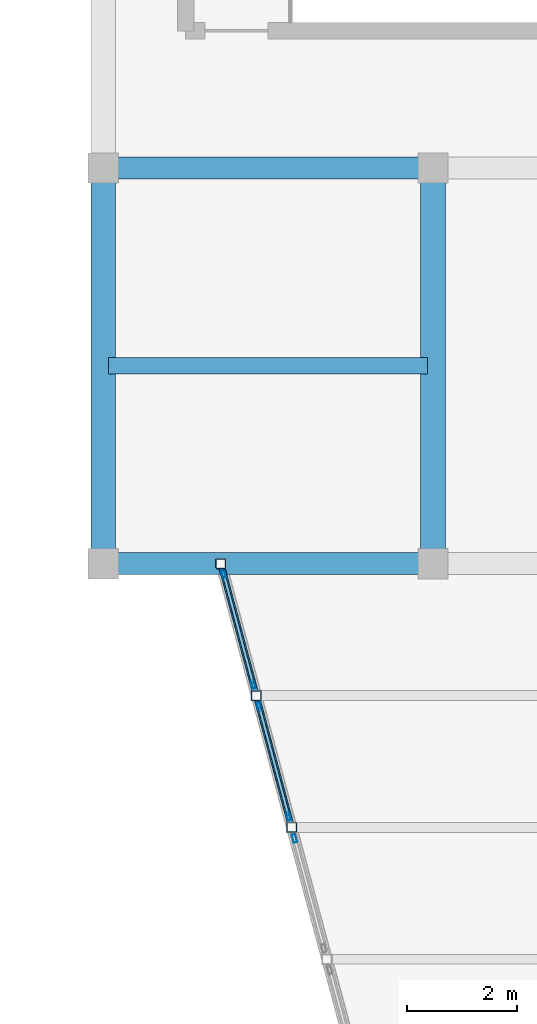
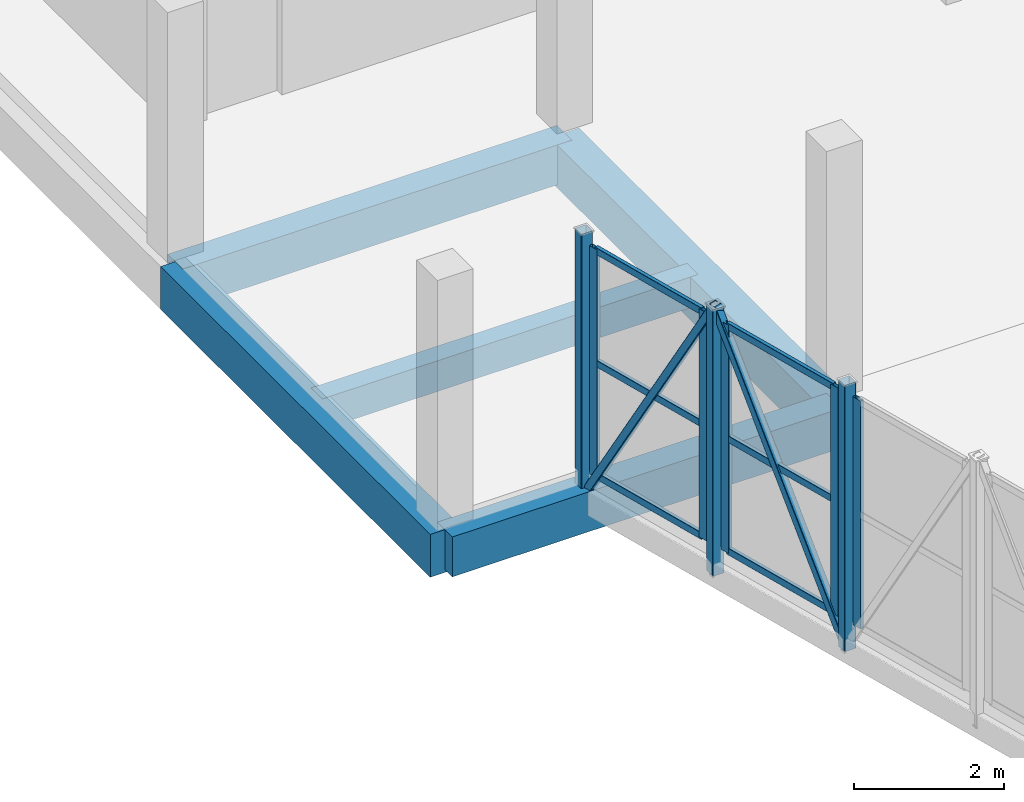
# One storey, part 51 of 127: 16 members, 5 beams, 3 elements without a shape of their own.
"""IFC4 building model written with IfcOpenShell, lengths in metres."""

from ifc_helpers import new_model, si_unit, direction, frame, origin, origin_2d, place, context, subcontext, project, spatial, rectangle, hollow_rectangle, extrude, material, layer, layer_set, material_profile, profile_set, type_object, element, aggregate, save


model = new_model("IFC4")

# Units and contexts
model_context = context("Model", 3, precision=1e-05, world=origin(), true_north=direction((0.0, 1.0)))
body_context = subcontext(model_context, "Body", "Model", "MODEL_VIEW")
ifc_project = project(units=[si_unit("LENGTHUNIT", "METRE"), si_unit("AREAUNIT", "SQUARE_METRE"), si_unit("VOLUMEUNIT", "CUBIC_METRE"), si_unit("PLANEANGLEUNIT", "RADIAN"), si_unit("MASSUNIT", "GRAM", prefix="KILO")], contexts=[model_context])

# Site, building, storey
site_placement = place(None, origin())
site = spatial("IfcSite", under=ifc_project, at=site_placement, CompositionType="ELEMENT")
building_placement = place(site_placement, origin())
building = spatial("IfcBuilding", under=site, at=building_placement, Name="Dunvalen Ferry Terminal", CompositionType="ELEMENT")
storey_placement = place(building_placement, frame((0.0, 0.0, 5.760009765625)))
storey = spatial("IfcBuildingStorey", under=building, at=storey_placement, Name="L01", CompositionType="ELEMENT", Elevation=5.760009765625)

# Curtain wall, member
ifc_material_1 = material(Name="Anodised marine aluminium and solar-control glazing", Category="aluminium")
ifc_layer = layer(ifc_material_1, 0.159912109375, Name="Anodised marine aluminium and solar-control glazing")
ifc_layer_set = layer_set([ifc_layer], Name="Anodised marine aluminium and solar-control glazing")
curtain_wall_type = type_object("IfcCurtainWallType", Name="ENV-CW-SYS-07", PredefinedType="NOTDEFINED", material=ifc_layer_set)
curtain_wall_1_placement = place(storey_placement, origin())
curtain_wall_1 = element("IfcCurtainWall", 1, at=curtain_wall_1_placement, inside=storey, type_object=curtain_wall_type, Name="L01 Curtain Wall CW-BRG1-S1-4", PredefinedType="NOTDEFINED")
ifc_material_2 = material(Name="Anodised marine aluminium EN AW-6063 T6", Category="aluminium")
ifc_material_profile_1 = material_profile(ifc_material_2, hollow_rectangle(XDim=0.06005859375, YDim=0.14990234375, WallThickness=0.00341796875, InnerFilletRadius=0.00341796875, OuterFilletRadius=0.007080078125, at=origin_2d()), Name="Anodised marine aluminium EN AW-6063 T6")
ifc_profile_set_1 = profile_set([ifc_material_profile_1], Name="Anodised marine aluminium EN AW-6063 T6")
member_type_1 = type_object("IfcMemberType", Name="ENV-CW-MUL-3", PredefinedType="MULLION", material=ifc_profile_set_1)
member_1_placement = place(storey_placement, frame((27.481689453125, 95.79833984375, 0.0), z_axis=(0.0, 0.0, 1.0), x_axis=(-0.965934620531, -0.258786222315, 0.0)))
member_1 = element("IfcMember", 2, at=member_1_placement, type_object=member_type_1, Name="CW-07 mullion 2", PredefinedType="MULLION", context=body_context, shape_type="SweptSolid", body=[
    extrude(hollow_rectangle(XDim=0.06005859375, YDim=0.14990234375, WallThickness=0.00341796875, InnerFilletRadius=0.00341796875, OuterFilletRadius=0.007080078125, at=origin_2d()), origin(), (0.0, 0.0, 1.0), 3.719970703125),
])
aggregate(curtain_wall_1, [member_1])

# Curtain wall, members
curtain_wall_2_placement = place(storey_placement, origin())
curtain_wall_2 = element("IfcCurtainWall", 3, at=curtain_wall_2_placement, inside=storey, type_object=curtain_wall_type, Name="L01 Curtain Wall CW-BRG1-S1-5", PredefinedType="NOTDEFINED")
member_2_placement = place(storey_placement, frame((27.37353515625, 96.20166015625, 0.0), z_axis=(0.0, 0.0, 1.0), x_axis=(-0.9659228666, -0.258830090561, 0.0)))
member_2 = element("IfcMember", 4, at=member_2_placement, type_object=member_type_1, Name="CW-07 mullion 1", PredefinedType="MULLION", context=body_context, shape_type="SweptSolid", body=[
    extrude(hollow_rectangle(XDim=0.06005859375, YDim=0.14990234375, WallThickness=0.00341796875, InnerFilletRadius=0.00341796875, OuterFilletRadius=0.007080078125, at=origin_2d()), origin(), (0.0, 0.0, 1.0), 3.719970703125),
])
member_3_placement = place(storey_placement, frame((26.838623046875, 98.1982421875, 0.0), z_axis=(0.0, 0.0, 1.0), x_axis=(-0.9659228666, -0.258830090561, 0.0)))
member_3 = element("IfcMember", 5, at=member_3_placement, type_object=member_type_1, Name="CW-07 mullion 2", PredefinedType="MULLION", context=body_context, shape_type="SweptSolid", body=[
    extrude(hollow_rectangle(XDim=0.06005859375, YDim=0.14990234375, WallThickness=0.00341796875, InnerFilletRadius=0.00341796875, OuterFilletRadius=0.007080078125, at=origin_2d()), origin(), (0.0, 0.0, 1.0), 3.719970703125),
])

curtain_wall_3_placement = place(storey_placement, origin())
curtain_wall_3 = element("IfcCurtainWall", 6, at=curtain_wall_3_placement, inside=storey, type_object=curtain_wall_type, Name="L01 Curtain Wall CW-BRG1-S1-6", PredefinedType="NOTDEFINED")
member_4_placement = place(storey_placement, frame((26.73046875, 98.601806640625, 0.0), z_axis=(0.0, 0.0, 1.0), x_axis=(-0.9659228666, -0.258830090561, 0.0)))
member_4 = element("IfcMember", 7, at=member_4_placement, type_object=member_type_1, Name="CW-07 mullion 1", PredefinedType="MULLION", context=body_context, shape_type="SweptSolid", body=[
    extrude(hollow_rectangle(XDim=0.06005859375, YDim=0.14990234375, WallThickness=0.00341796875, InnerFilletRadius=0.00341796875, OuterFilletRadius=0.007080078125, at=origin_2d()), origin(), (0.0, 0.0, 1.0), 3.719970703125),
])
member_5_placement = place(storey_placement, frame((26.195556640625, 100.59814453125, 0.0), z_axis=(0.0, 0.0, 1.0), x_axis=(-0.9659228666, -0.258830090561, 0.0)))
member_5 = element("IfcMember", 8, at=member_5_placement, type_object=member_type_1, Name="CW-07 mullion 2", PredefinedType="MULLION", context=body_context, shape_type="SweptSolid", body=[
    extrude(hollow_rectangle(XDim=0.06005859375, YDim=0.14990234375, WallThickness=0.00341796875, InnerFilletRadius=0.00341796875, OuterFilletRadius=0.007080078125, at=origin_2d()), origin(), (0.0, 0.0, 1.0), 3.719970703125),
])

# Member
ifc_material_profile_2 = material_profile(ifc_material_2, hollow_rectangle(XDim=0.06005859375, YDim=0.114990234375, WallThickness=0.0029296875, InnerFilletRadius=0.0029296875, OuterFilletRadius=0.006103515625, at=origin_2d()), Name="Anodised marine aluminium EN AW-6063 T6")
ifc_profile_set_2 = profile_set([ifc_material_profile_2], Name="Anodised marine aluminium EN AW-6063 T6")
member_type_2 = type_object("IfcMemberType", Name="ENV-CW-TRN-3", PredefinedType="USERDEFINED", material=ifc_profile_set_2)
member_6_placement = place(storey_placement, frame((27.365966796875, 96.230712890625, 0.030029296875), z_axis=(-0.258873913014, 0.965911122806, 0.0), x_axis=(-0.965911122806, -0.258873913014, 0.0)))
member_6 = element("IfcMember", 9, at=member_6_placement, type_object=member_type_2, Name="CW-07 transom 1.1", ObjectType="TRANSOM", PredefinedType="USERDEFINED", context=body_context, shape_type="SweptSolid", body=[
    extrude(hollow_rectangle(XDim=0.06005859375, YDim=0.114990234375, WallThickness=0.0029296875, InnerFilletRadius=0.0029296875, OuterFilletRadius=0.006103515625, at=origin_2d()), origin(), (0.0, 0.0, 1.0), 2.0068359375),
])

member_7_placement = place(storey_placement, frame((27.365966796875, 96.230712890625, 1.860107421875), z_axis=(-0.258873913014, 0.965911122806, 0.0), x_axis=(-0.965911122806, -0.258873913014, 0.0)))
member_7 = element("IfcMember", 10, at=member_7_placement, type_object=member_type_2, Name="CW-07 transom 1.2", ObjectType="TRANSOM", PredefinedType="USERDEFINED", context=body_context, shape_type="SweptSolid", body=[
    extrude(hollow_rectangle(XDim=0.06005859375, YDim=0.114990234375, WallThickness=0.0029296875, InnerFilletRadius=0.0029296875, OuterFilletRadius=0.006103515625, at=origin_2d()), origin(), (0.0, 0.0, 1.0), 2.0068359375),
])

member_8_placement = place(storey_placement, frame((27.365966796875, 96.230712890625, 3.68994140625), z_axis=(-0.258873913014, 0.965911122806, 0.0), x_axis=(-0.965911122806, -0.258873913014, 0.0)))
member_8 = element("IfcMember", 11, at=member_8_placement, type_object=member_type_2, Name="CW-07 transom 1.3", ObjectType="TRANSOM", PredefinedType="USERDEFINED", context=body_context, shape_type="SweptSolid", body=[
    extrude(hollow_rectangle(XDim=0.06005859375, YDim=0.114990234375, WallThickness=0.0029296875, InnerFilletRadius=0.0029296875, OuterFilletRadius=0.006103515625, at=origin_2d()), origin(), (0.0, 0.0, 1.0), 2.0068359375),
])

aggregate(curtain_wall_2, [member_2, member_3, member_6, member_7, member_8])

member_9_placement = place(storey_placement, frame((26.72265625, 98.630859375, 0.030029296875), z_axis=(-0.258760408924, 0.965941535898, 0.0), x_axis=(-0.965941535898, -0.258760408924, 0.0)))
member_9 = element("IfcMember", 12, at=member_9_placement, type_object=member_type_2, Name="CW-07 transom 1.1", ObjectType="TRANSOM", PredefinedType="USERDEFINED", context=body_context, shape_type="SweptSolid", body=[
    extrude(hollow_rectangle(XDim=0.06005859375, YDim=0.114990234375, WallThickness=0.0029296875, InnerFilletRadius=0.0029296875, OuterFilletRadius=0.006103515625, at=origin_2d()), origin(), (0.0, 0.0, 1.0), 2.0068359375),
])

member_10_placement = place(storey_placement, frame((26.72265625, 98.630859375, 1.860107421875), z_axis=(-0.258760408924, 0.965941535898, 0.0), x_axis=(-0.965941535898, -0.258760408924, 0.0)))
member_10 = element("IfcMember", 13, at=member_10_placement, type_object=member_type_2, Name="CW-07 transom 1.2", ObjectType="TRANSOM", PredefinedType="USERDEFINED", context=body_context, shape_type="SweptSolid", body=[
    extrude(hollow_rectangle(XDim=0.06005859375, YDim=0.114990234375, WallThickness=0.0029296875, InnerFilletRadius=0.0029296875, OuterFilletRadius=0.006103515625, at=origin_2d()), origin(), (0.0, 0.0, 1.0), 2.0068359375),
])

member_11_placement = place(storey_placement, frame((26.72265625, 98.630859375, 3.68994140625), z_axis=(-0.258760408924, 0.965941535898, 0.0), x_axis=(-0.965941535898, -0.258760408924, 0.0)))
member_11 = element("IfcMember", 14, at=member_11_placement, type_object=member_type_2, Name="CW-07 transom 1.3", ObjectType="TRANSOM", PredefinedType="USERDEFINED", context=body_context, shape_type="SweptSolid", body=[
    extrude(hollow_rectangle(XDim=0.06005859375, YDim=0.114990234375, WallThickness=0.0029296875, InnerFilletRadius=0.0029296875, OuterFilletRadius=0.006103515625, at=origin_2d()), origin(), (0.0, 0.0, 1.0), 2.0068359375),
])

aggregate(curtain_wall_3, [member_4, member_5, member_9, member_10, member_11])

# Beams
ifc_material_3 = material(Name="Concrete C35/45", Category="concrete")
ifc_material_profile_3 = material_profile(ifc_material_3, rectangle(XDim=0.300048828125, YDim=0.5, at=origin_2d()), Name="Concrete C35/45")
ifc_profile_set_3 = profile_set([ifc_material_profile_3], Name="Concrete C35/45")
beam_type_1 = type_object("IfcBeamType", Name="STR-BM-RCB500", PredefinedType="JOIST", material=ifc_profile_set_3)
beam_placement = place(storey_placement, frame((24.10009765625, 104.39990234375, -0.489990234375), z_axis=(1.0, 0.0, 0.0), x_axis=(0.0, 1.0, 0.0)))
element("IfcBeam", 15, at=beam_placement, inside=storey, type_object=beam_type_1, Name="L01 V3B1 Secondary Joist 001", PredefinedType="JOIST", context=body_context, shape_type="SweptSolid", body=[
    extrude(rectangle(XDim=0.300048828125, YDim=0.5, at=origin_2d()), origin(), (0.0, 0.0, 1.0), 5.7998046875),
])
ifc_material_4 = material(Name="Concrete C40/50", Category="concrete")
ifc_material_profile_4 = material_profile(ifc_material_4, rectangle(XDim=0.39990234375, YDim=0.64990234375, at=origin_2d()), Name="Concrete C40/50")
ifc_profile_set_4 = profile_set([ifc_material_profile_4], Name="Concrete C40/50")
beam_type_2 = type_object("IfcBeamType", Name="STR-BM-RCB650", PredefinedType="BEAM", material=ifc_profile_set_4)
for number, where, z_axis, x_axis, name in (
    (16, (24.0, 100.800048828125, -0.56494140625), (1.0, 0.0, 0.0), (0.0, 1.0, 0.0), "L01 V3B1 Primary Beam X-001"),
    (17, (24.0, 108.0, -0.56494140625), (1.0, 0.0, 0.0), (0.0, 1.0, 0.0), "L01 V3B1 Primary Beam X-005"),
):
    element("IfcBeam", number, at=place(storey_placement, frame(where, z_axis=z_axis, x_axis=x_axis)), inside=storey, type_object=beam_type_2, Name=name, PredefinedType="BEAM", context=body_context, shape_type="SweptSolid", body=[
        extrude(rectangle(XDim=0.39990234375, YDim=0.64990234375, at=origin_2d()), origin(), (0.0, 0.0, 1.0), 6.0),
    ])
ifc_material_profile_5 = material_profile(ifc_material_4, rectangle(XDim=0.449951171875, YDim=0.699951171875, at=origin_2d()), Name="Concrete C40/50")
ifc_profile_set_5 = profile_set([ifc_material_profile_5], Name="Concrete C40/50")
beam_type_3 = type_object("IfcBeamType", Name="STR-BM-RCB700", PredefinedType="BEAM", material=ifc_profile_set_5)
for number, where, z_axis, x_axis, name in (
    (18, (24.0, 100.800048828125, -0.590087890625), (0.0, 1.0, 0.0), (-1.0, 0.0, 0.0), "L01 V3B1 Primary Girder Y-013"),
    (19, (30.0, 100.800048828125, -0.590087890625), (0.0, 1.0, 0.0), (-1.0, 0.0, 0.0), "L01 V3B1 Primary Girder Y-015"),
):
    element("IfcBeam", number, at=place(storey_placement, frame(where, z_axis=z_axis, x_axis=x_axis)), inside=storey, type_object=beam_type_3, Name=name, PredefinedType="BEAM", context=body_context, shape_type="SweptSolid", body=[
        extrude(rectangle(XDim=0.449951171875, YDim=0.699951171875, at=origin_2d()), origin(), (0.0, 0.0, 1.0), 7.199951171875),
    ])

# Members
ifc_material_5 = material(Name="Steel S355", Category="steel")
ifc_material_profile_6 = material_profile(ifc_material_5, hollow_rectangle(XDim=0.1201171875, YDim=0.1201171875, WallThickness=0.00634765625, InnerFilletRadius=0.00634765625, OuterFilletRadius=0.0126953125, at=origin_2d()), Name="Steel S355")
ifc_profile_set_6 = profile_set([ifc_material_profile_6], Name="Steel S355")
member_type_3 = type_object("IfcMemberType", Name="STR-MB-SHS120", PredefinedType="BRACE", material=ifc_profile_set_6)
for number, where, z_axis, x_axis, name in (
    (20, (27.427734375, 96.0, -0.43994140625), (-0.128594483559, 0.479910316395, 0.867841890563), (-0.965924366126, -0.258824494443, 0.0), "Boarding Bridge 1 Warren Diagonal 1.5"),
    (21, (26.78466796875, 98.39990234375, 3.89990234375), (-0.128591470582, 0.47994789191, -0.867821556972), (-0.965930947833, -0.258799930484, 0.0), "Boarding Bridge 1 Warren Diagonal 1.6"),
):
    element("IfcMember", number, at=place(storey_placement, frame(where, z_axis=z_axis, x_axis=x_axis)), inside=storey, type_object=member_type_3, Name=name, PredefinedType="BRACE", context=body_context, shape_type="SweptSolid", body=[
        extrude(hollow_rectangle(XDim=0.1201171875, YDim=0.1201171875, WallThickness=0.00634765625, InnerFilletRadius=0.00634765625, OuterFilletRadius=0.0126953125, at=origin_2d()), origin(), (0.0, 0.0, 1.0), 5.000732421875),
    ])
ifc_material_profile_7 = material_profile(ifc_material_5, hollow_rectangle(XDim=0.179931640625, YDim=0.179931640625, WallThickness=0.008056640625, InnerFilletRadius=0.008056640625, OuterFilletRadius=0.01611328125, at=origin_2d()), Name="Steel S355")
ifc_profile_set_7 = profile_set([ifc_material_profile_7], Name="Steel S355")
member_type_4 = type_object("IfcMemberType", Name="STR-MB-SHS180", PredefinedType="STRUT", material=ifc_profile_set_7)
for number, where, z_axis, x_axis, name in (
    (22, (27.427734375, 96.0, -0.43994140625), (0.0, 0.0, 1.0), (1.0, 0.0, 0.0), "Boarding Bridge 1 Truss Post 1.4"),
    (23, (26.78466796875, 98.39990234375, -0.43994140625), (0.0, 0.0, 1.0), (1.0, 0.0, 0.0), "Boarding Bridge 1 Truss Post 1.5"),
    (24, (26.1416015625, 100.800048828125, -0.43994140625), (0.0, 0.0, 1.0), (1.0, 0.0, 0.0), "Boarding Bridge 1 Truss Post 1.6"),
):
    element("IfcMember", number, at=place(storey_placement, frame(where, z_axis=z_axis, x_axis=x_axis)), inside=storey, type_object=member_type_4, Name=name, PredefinedType="STRUT", context=body_context, shape_type="SweptSolid", body=[
        extrude(hollow_rectangle(XDim=0.179931640625, YDim=0.179931640625, WallThickness=0.008056640625, InnerFilletRadius=0.008056640625, OuterFilletRadius=0.01611328125, at=origin_2d()), origin(), (0.0, 0.0, 1.0), 4.33984375),
    ])

save(model, "model.ifc")
